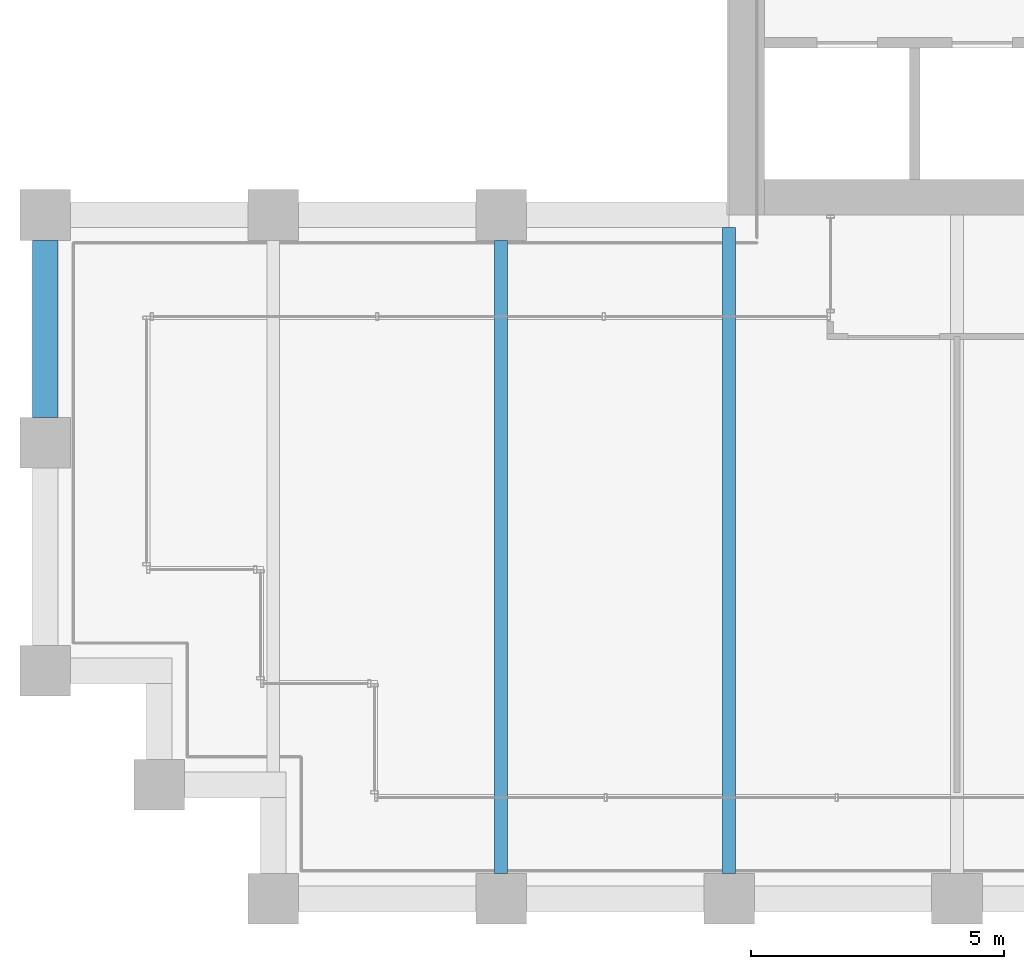
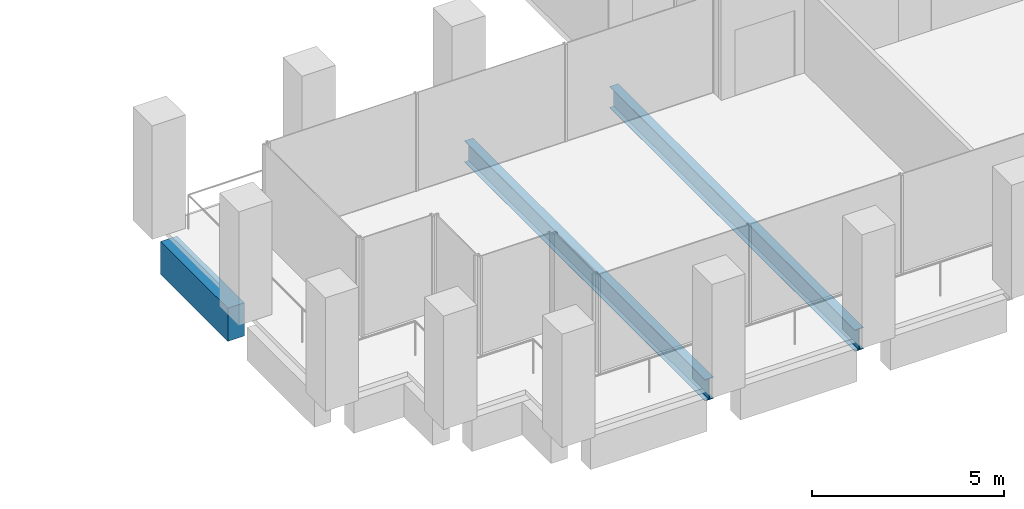
# One storey, part 4 of 47: 3 beams.
"""IFC4 building model written with IfcOpenShell, lengths in metres."""

from ifc_helpers import new_model, si_unit, direction, frame, origin, origin_2d, place, context, subcontext, project, spatial, rectangle, i_section, extrude, material, material_profile, profile_set, type_object, element, save


model = new_model("IFC4")

# Units and contexts
model_context = context("Model", 3, precision=1e-05, world=origin(), true_north=direction((0.0, 1.0)))
body_context = subcontext(model_context, "Body", "Model", "MODEL_VIEW")
ifc_project = project(units=[si_unit("LENGTHUNIT", "METRE"), si_unit("AREAUNIT", "SQUARE_METRE"), si_unit("VOLUMEUNIT", "CUBIC_METRE"), si_unit("PLANEANGLEUNIT", "RADIAN"), si_unit("MASSUNIT", "GRAM", prefix="KILO")], contexts=[model_context])

# Site, building, storey
site_placement = place(None, origin())
site = spatial("IfcSite", under=ifc_project, at=site_placement, CompositionType="ELEMENT")
building_placement = place(site_placement, origin())
building = spatial("IfcBuilding", under=site, at=building_placement, Name="Altepetl Exchange Towers", CompositionType="ELEMENT")
storey_placement = place(building_placement, frame((0.0, 0.0, 95.60009765625)))
storey = spatial("IfcBuildingStorey", under=building, at=storey_placement, Name="L23", CompositionType="ELEMENT", Elevation=95.60009765625)

# Beams
ifc_material_1 = material(Name="Steel S355", Category="steel")
ifc_material_profile_1 = material_profile(ifc_material_1, i_section(OverallWidth=0.25390625, OverallDepth=0.68408203125, WebThickness=0.012451171875, FlangeThickness=0.018798828125, at=origin_2d()), Name="W27X94")
ifc_profile_set_1 = profile_set([ifc_material_profile_1], Name="Steel S355")
beam_type_1 = type_object("IfcBeamType", Name="Floor beam W27X94", PredefinedType="BEAM", material=ifc_profile_set_1)
beam_1_placement = place(storey_placement, frame((36.0, 27.5, -0.4921875), z_axis=(0.0, 1.0, 0.0), x_axis=(-1.0, 0.0, 0.0)))
element("IfcBeam", 1, at=beam_1_placement, inside=storey, type_object=beam_type_1, Name="bm:A:L23:013", PredefinedType="BEAM", context=body_context, shape_type="SweptSolid", body=[
    extrude(i_section(OverallWidth=0.25390625, OverallDepth=0.68408203125, WebThickness=0.012451171875, FlangeThickness=0.018798828125, at=origin_2d()), origin(), (0.0, 0.0, 1.0), 12.5),
])
beam_2_placement = place(storey_placement, frame((40.5, 27.5, -0.4921875), z_axis=(0.0, 1.0, 0.0), x_axis=(-1.0, 0.0, 0.0)))
element("IfcBeam", 2, at=beam_2_placement, inside=storey, type_object=beam_type_1, Name="bm:A:L23:014", PredefinedType="BEAM", context=body_context, shape_type="SweptSolid", body=[
    extrude(i_section(OverallWidth=0.25390625, OverallDepth=0.68408203125, WebThickness=0.012451171875, FlangeThickness=0.018798828125, at=origin_2d()), origin(), (0.0, 0.0, 1.0), 12.75),
])
ifc_material_2 = material(Name="Concrete C50/60 precast with cantera blanca facing", Category="concrete")
ifc_material_profile_2 = material_profile(ifc_material_2, rectangle(XDim=0.5, YDim=1.050048828125, at=origin_2d()), Name="500 x 1050")
ifc_profile_set_2 = profile_set([ifc_material_profile_2], Name="Concrete C50/60 precast with cantera blanca facing")
beam_type_2 = type_object("IfcBeamType", Name="Spandrel beam 500x1050 cantera blanca", PredefinedType="SPANDREL", material=ifc_profile_set_2)
beam_3_placement = place(storey_placement, frame((27.0, 40.0, -0.675048828125), z_axis=(0.0, -1.0, 0.0), x_axis=(1.0, 0.0, 0.0)))
element("IfcBeam", 3, at=beam_3_placement, inside=storey, type_object=beam_type_2, Name="sp:A:L23:036", PredefinedType="SPANDREL", context=body_context, shape_type="SweptSolid", body=[
    extrude(rectangle(XDim=0.5, YDim=1.050048828125, at=origin_2d()), origin(), (0.0, 0.0, 1.0), 3.5),
])

save(model, "model.ifc")
